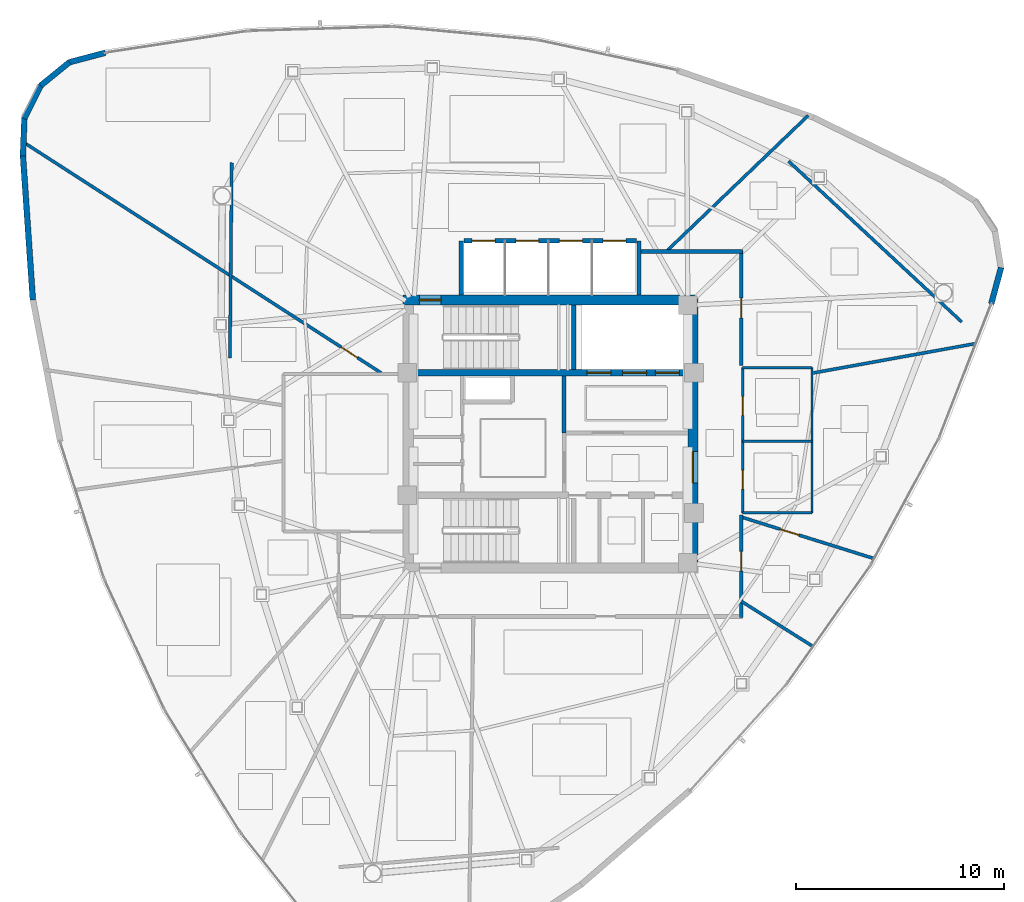
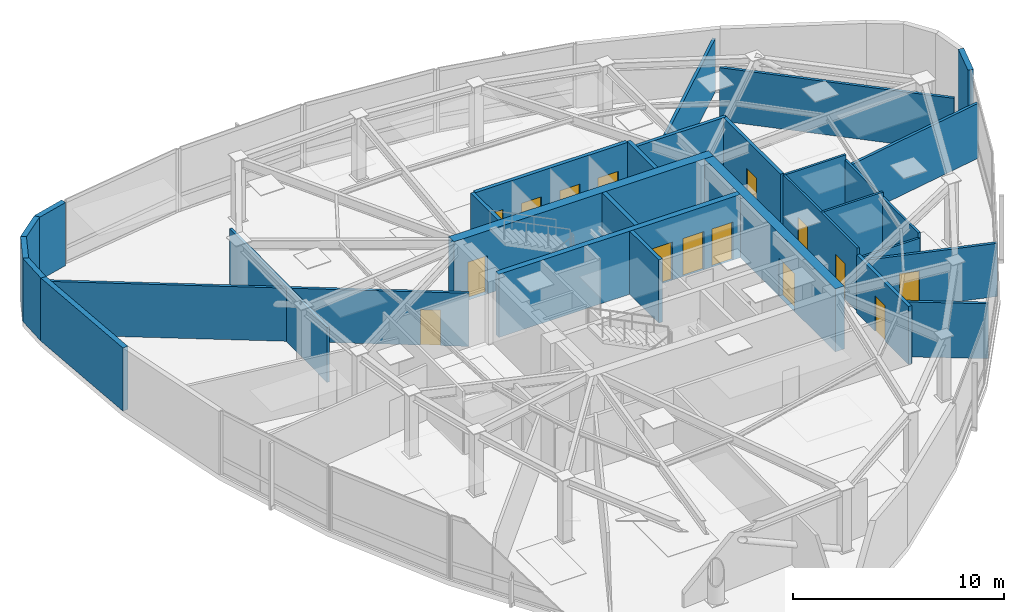
# One storey, part 10 of 14: 29 walls, 15 doors, 15 openings.
"""IFC4 building model written with IfcOpenShell, lengths in metres."""

from ifc_helpers import new_model, si_unit, direction, frame, frame_2d, origin, place, context, subcontext, project, spatial, rectangle, extrude, material, layer, layer_set, type_object, element, fill, save


model = new_model("IFC4")

# Units and contexts
model_context = context("Model", 3, precision=1e-05, world=origin(), true_north=direction((0.0, 1.0)))
body_context = subcontext(model_context, "Body", "Model", "MODEL_VIEW")
ifc_project = project(units=[si_unit("LENGTHUNIT", "METRE"), si_unit("AREAUNIT", "SQUARE_METRE"), si_unit("VOLUMEUNIT", "CUBIC_METRE"), si_unit("PLANEANGLEUNIT", "RADIAN"), si_unit("MASSUNIT", "GRAM", prefix="KILO")], contexts=[model_context])

# Site, building, storey
site_placement = place(None, origin())
site = spatial("IfcSite", under=ifc_project, at=site_placement, CompositionType="ELEMENT")
building_placement = place(site_placement, origin())
building = spatial("IfcBuilding", under=site, at=building_placement, Name="Tavelor Broadcast Tower", CompositionType="ELEMENT")
storey_placement = place(building_placement, frame((0.0, 0.0, 257.699951171875)))
storey = spatial("IfcBuildingStorey", under=building, at=storey_placement, Name="L61", CompositionType="ELEMENT", Elevation=257.699951171875)

# Wall, opening, door
ifc_material_1 = material(Name="Concrete C50/60", Category="concrete")
ifc_layer_1 = layer(ifc_material_1, 0.5)
ifc_layer_set_1 = layer_set([ifc_layer_1], Name="Concrete C50/60")
wall_type_1 = type_object("IfcWallType", Name="Core Shear Wall 500 mm", PredefinedType="SHEAR", material=ifc_layer_set_1)
wall_1_placement = place(storey_placement, frame((42.89990234375, 51.449951171875, 0.0), z_axis=(0.0, 0.0, 1.0), x_axis=(1.0, 0.0, 0.0)))
wall_1 = element("IfcWall", 1, at=wall_1_placement, inside=storey, type_object=wall_type_1, Name="L61 Central Core Shear Wall N", PredefinedType="SHEAR", context=body_context, shape_type="SweptSolid", body=[
    extrude(rectangle(XDim=14.2001953125, YDim=0.5, at=frame_2d((7.10009765625, 0.0))), origin(), (0.0, 0.0, 1.0), 3.650146484375),
])
opening_1_placement = place(wall_1_placement, frame((0.780029296875, 0.0, 0.0)))
opening_1 = element("IfcOpeningElement", 2, at=opening_1_placement, cuts=wall_1, Name="Opening DR11", PredefinedType="OPENING", context=body_context, shape_type="SweptSolid", body=[
    extrude(rectangle(XDim=1.050048828125, YDim=2.199951171875, at=frame_2d((0.52490234375, 1.10009765625))), frame((0.0, 0.260009765625, 0.0), z_axis=(0.0, -1.0, 0.0), x_axis=(1.0, 0.0, 0.0)), (0.0, 0.0, 1.0), 0.52001953125),
])
ifc_material_2 = material(Name="Steel S355", Category="steel")
door_type_1 = type_object("IfcDoorType", Name="Stair Core Fire Escape Door 1050x2200", OperationType="NOTDEFINED", PredefinedType="DOOR", material=ifc_material_2)
door_1_placement = place(opening_1_placement, origin())
door_1 = element("IfcDoor", 3, at=door_1_placement, inside=storey, type_object=door_type_1, Name="L61 Stair ST1 Protected Exit Door", OperationType="SINGLE_SWING_LEFT", OverallHeight=2.199951171875, OverallWidth=1.050048828125, PredefinedType="DOOR", context=body_context, shape_type="SweptSolid", body=[
    extrude(rectangle(XDim=1.050048828125, YDim=2.199951171875, at=frame_2d((0.52490234375, 1.10009765625))), frame((0.0, 0.02490234375, 0.0), z_axis=(0.0, -1.0, 0.0), x_axis=(1.0, 0.0, 0.0)), (0.0, 0.0, 1.0), 0.050048828125),
])
fill(opening_1, door_1)

wall_2_placement = place(storey_placement, frame((56.85009765625, 38.800048828125, 0.0), z_axis=(0.0, 0.0, 1.0), x_axis=(0.0, 1.0, 0.0)))
wall_2 = element("IfcWall", 4, at=wall_2_placement, inside=storey, type_object=wall_type_1, Name="L61 Central Core Shear Wall E", PredefinedType="SHEAR", context=body_context, shape_type="SweptSolid", body=[
    extrude(rectangle(XDim=12.39990234375, YDim=0.5, at=frame_2d((6.199951171875, 0.0))), origin(), (0.0, 0.0, 1.0), 3.650146484375),
])
opening_2_placement = place(wall_2_placement, frame((3.85009765625, 0.0, 0.0)))
opening_2 = element("IfcOpeningElement", 5, at=opening_2_placement, cuts=wall_2, Name="Opening DR14", PredefinedType="OPENING", context=body_context, shape_type="SweptSolid", body=[
    extrude(rectangle(XDim=1.5, YDim=2.199951171875, at=frame_2d((0.75, 1.10009765625))), frame((0.0, 0.260009765625, 0.0), z_axis=(0.0, -1.0, 0.0), x_axis=(1.0, 0.0, 0.0)), (0.0, 0.0, 1.0), 0.52001953125),
])
door_type_2 = type_object("IfcDoorType", Name="Firefighting Lobby Double Fire Door 1500x2200", OperationType="NOTDEFINED", PredefinedType="DOOR", material=ifc_material_2)
door_2_placement = place(opening_2_placement, origin())
door_2 = element("IfcDoor", 6, at=door_2_placement, inside=storey, type_object=door_type_2, Name="L61 Central Core Lobby Fire Door", OperationType="SINGLE_SWING_RIGHT", OverallHeight=2.199951171875, OverallWidth=1.5, PredefinedType="DOOR", context=body_context, shape_type="SweptSolid", body=[
    extrude(rectangle(XDim=1.5, YDim=2.199951171875, at=frame_2d((0.75, 1.10009765625))), frame((0.0, 0.02490234375, 0.0), z_axis=(0.0, -1.0, 0.0), x_axis=(1.0, 0.0, 0.0)), (0.0, 0.0, 1.0), 0.050048828125),
])
fill(opening_2, door_2)

# Wall, openings, doors
ifc_layer_2 = layer(ifc_material_1, 0.300048828125)
ifc_layer_set_2 = layer_set([ifc_layer_2], Name="Concrete C50/60")
wall_type_2 = type_object("IfcWallType", Name="Core Spine Shear Wall 300 mm C50", PredefinedType="SHEAR", material=ifc_layer_set_2)
wall_3_placement = place(storey_placement, frame((43.39990234375, 47.949951171875, 0.0), z_axis=(0.0, 0.0, 1.0), x_axis=(1.0, 0.0, 0.0)))
wall_3 = element("IfcWall", 7, at=wall_3_placement, inside=storey, type_object=wall_type_2, Name="L61 Central Core Shear Wall SP1", PredefinedType="SHEAR", context=body_context, shape_type="SweptSolid", body=[
    extrude(rectangle(XDim=13.2001953125, YDim=0.300048828125, at=frame_2d((6.60009765625, 0.0))), origin(), (0.0, 0.0, 1.0), 3.650146484375),
])
opening_3_placement = place(wall_3_placement, frame((8.344970703125, 0.0, 0.0)))
opening_3 = element("IfcOpeningElement", 8, at=opening_3_placement, cuts=wall_3, Name="Opening LD02", PredefinedType="OPENING", context=body_context, shape_type="SweptSolid", body=[
    extrude(rectangle(XDim=1.14990234375, YDim=2.199951171875, at=frame_2d((0.574951171875, 1.10009765625))), frame((0.0, 0.16015625, 0.0), z_axis=(0.0, -1.0, 0.0), x_axis=(1.0, 0.0, 0.0)), (0.0, 0.0, 1.0), 0.320068359375),
])
opening_4_placement = place(wall_3_placement, frame((10.06494140625, 0.0, 0.0)))
opening_4 = element("IfcOpeningElement", 9, at=opening_4_placement, cuts=wall_3, Name="Opening LD02", PredefinedType="OPENING", context=body_context, shape_type="SweptSolid", body=[
    extrude(rectangle(XDim=1.14990234375, YDim=2.199951171875, at=frame_2d((0.574951171875, 1.10009765625))), frame((0.0, 0.16015625, 0.0), z_axis=(0.0, -1.0, 0.0), x_axis=(1.0, 0.0, 0.0)), (0.0, 0.0, 1.0), 0.320068359375),
])
opening_5_placement = place(wall_3_placement, frame((11.64501953125, 0.0, 0.0)))
opening_5 = element("IfcOpeningElement", 10, at=opening_5_placement, cuts=wall_3, Name="Opening LD03", PredefinedType="OPENING", context=body_context, shape_type="SweptSolid", body=[
    extrude(rectangle(XDim=1.14990234375, YDim=2.199951171875, at=frame_2d((0.574951171875, 1.10009765625))), frame((0.0, 0.16015625, 0.0), z_axis=(0.0, -1.0, 0.0), x_axis=(1.0, 0.0, 0.0)), (0.0, 0.0, 1.0), 0.320068359375),
])
ifc_material_3 = material(Name="Reinforced Brushed Stainless Steel", Category="concrete")
door_type_3 = type_object("IfcDoorType", Name="Broadcast Goods Lift Sliding Landing Door 1250x2200", OperationType="NOTDEFINED", PredefinedType="DOOR", material=ifc_material_3)
door_3_placement = place(opening_5_placement, origin())
door_3 = element("IfcDoor", 11, at=door_3_placement, inside=storey, type_object=door_type_3, Name="L61 Lift SVL1 Sliding Landing Door", OperationType="SLIDING_TO_LEFT", OverallHeight=2.199951171875, OverallWidth=1.14990234375, PredefinedType="DOOR", context=body_context, shape_type="SweptSolid", body=[
    extrude(rectangle(XDim=1.14990234375, YDim=2.199951171875, at=frame_2d((0.574951171875, 1.10009765625))), frame((0.0, 0.02490234375, 0.0), z_axis=(0.0, -1.0, 0.0), x_axis=(1.0, 0.0, 0.0)), (0.0, 0.0, 1.0), 0.050048828125),
])
fill(opening_5, door_3)
ifc_material_4 = material(Name="Fire-Rated Stainless Steel", Category="steel")
door_type_4 = type_object("IfcDoorType", Name="Firefighting Lift Sliding Landing Door 1200x2200", OperationType="NOTDEFINED", PredefinedType="DOOR", material=ifc_material_4)
door_4_placement = place(opening_3_placement, origin())
door_4 = element("IfcDoor", 12, at=door_4_placement, inside=storey, type_object=door_type_4, Name="L61 Lift FFL1 Sliding Landing Door", OperationType="SLIDING_TO_LEFT", OverallHeight=2.199951171875, OverallWidth=1.14990234375, PredefinedType="DOOR", context=body_context, shape_type="SweptSolid", body=[
    extrude(rectangle(XDim=1.14990234375, YDim=2.199951171875, at=frame_2d((0.574951171875, 1.10009765625))), frame((0.0, 0.02490234375, 0.0), z_axis=(0.0, -1.0, 0.0), x_axis=(1.0, 0.0, 0.0)), (0.0, 0.0, 1.0), 0.050048828125),
])
fill(opening_3, door_4)
door_5_placement = place(opening_4_placement, origin())
door_5 = element("IfcDoor", 13, at=door_5_placement, inside=storey, type_object=door_type_4, Name="L61 Lift FFL2 Sliding Landing Door", OperationType="SLIDING_TO_LEFT", OverallHeight=2.199951171875, OverallWidth=1.14990234375, PredefinedType="DOOR", context=body_context, shape_type="SweptSolid", body=[
    extrude(rectangle(XDim=1.14990234375, YDim=2.199951171875, at=frame_2d((0.574951171875, 1.10009765625))), frame((0.0, 0.02490234375, 0.0), z_axis=(0.0, -1.0, 0.0), x_axis=(1.0, 0.0, 0.0)), (0.0, 0.0, 1.0), 0.050048828125),
])
fill(opening_4, door_5)

# Wall
ifc_material_5 = material(Name="Calcium Silicate Fire Board 180 mm", Category="gypsum")
ifc_layer_3 = layer(ifc_material_5, 0.179931640625)
ifc_layer_set_3 = layer_set([ifc_layer_3], Name="Calcium Silicate Fire Board 180 mm")
wall_type_3 = type_object("IfcWallType", Name="Fire-Rated Corridor Partition Wall 180 mm", PredefinedType="PARTITIONING", material=ifc_layer_set_3)
wall_4_placement = place(storey_placement, frame((54.300048828125, 53.780029296875, 0.0), z_axis=(0.0, 0.0, 1.0), x_axis=(1.0, 0.0, 0.0)))
element("IfcWall", 14, at=wall_4_placement, inside=storey, type_object=wall_type_3, Name="L61 Corridor Compartment Wall 01", PredefinedType="PARTITIONING", context=body_context, shape_type="SweptSolid", body=[
    extrude(rectangle(XDim=4.929931640625, YDim=0.179931640625, at=frame_2d((2.46484375, 0.0))), origin(), (0.0, 0.0, 1.0), 3.650146484375),
])

# Wall, opening, door
wall_5_placement = place(storey_placement, frame((59.179931640625, 53.830078125, 0.0), z_axis=(0.0, 0.0, 1.0), x_axis=(0.0, -1.0, 0.0)))
wall_5 = element("IfcWall", 15, at=wall_5_placement, inside=storey, type_object=wall_type_3, Name="L61 Corridor Compartment Wall 02", PredefinedType="PARTITIONING", context=body_context, shape_type="SweptSolid", body=[
    extrude(rectangle(XDim=5.530029296875, YDim=0.179931640625, at=frame_2d((2.76513671875, 0.0))), origin(), (0.0, 0.0, 1.0), 3.650146484375),
])
opening_6_placement = place(wall_5_placement, frame((2.2900390625, 0.0, 0.0)))
opening_6 = element("IfcOpeningElement", 16, at=opening_6_placement, cuts=wall_5, Name="Opening DR18", PredefinedType="OPENING", context=body_context, shape_type="SweptSolid", body=[
    extrude(rectangle(XDim=0.949951171875, YDim=2.050048828125, at=frame_2d((0.47509765625, 1.02490234375))), frame((0.0, 0.10009765625, 0.0), z_axis=(0.0, -1.0, 0.0), x_axis=(1.0, 0.0, 0.0)), (0.0, 0.0, 1.0), 0.199951171875),
])
ifc_material_6 = material(Name="Timber Solid Core Hardwood", Category="wood")
door_type_5 = type_object("IfcDoorType", Name="Corridor Rated Compartment Door 950x2050", OperationType="NOTDEFINED", PredefinedType="DOOR", material=ifc_material_6)
door_6_placement = place(opening_6_placement, origin())
door_6 = element("IfcDoor", 17, at=door_6_placement, inside=storey, type_object=door_type_5, Name="L61 Documentary Research Study Door R7", OperationType="SINGLE_SWING_RIGHT", OverallHeight=2.050048828125, OverallWidth=0.949951171875, PredefinedType="DOOR", context=body_context, shape_type="SweptSolid", body=[
    extrude(rectangle(XDim=0.949951171875, YDim=2.050048828125, at=frame_2d((0.47509765625, 1.02490234375))), frame((0.0, 0.02490234375, 0.0), z_axis=(0.0, -1.0, 0.0), x_axis=(1.0, 0.0, 0.0)), (0.0, 0.0, 1.0), 0.050048828125),
])
fill(opening_6, door_6)

wall_6_placement = place(storey_placement, frame((59.179931640625, 41.10009765625, 0.0), z_axis=(0.0, 0.0, 1.0), x_axis=(0.0, -1.0, 0.0)))
wall_6 = element("IfcWall", 18, at=wall_6_placement, inside=storey, type_object=wall_type_3, Name="L61 Corridor Compartment Wall 03", PredefinedType="PARTITIONING", context=body_context, shape_type="SweptSolid", body=[
    extrude(rectangle(XDim=4.93017578125, YDim=0.179931640625, at=frame_2d((2.465087890625, 0.0))), origin(), (0.0, 0.0, 1.0), 3.35498046875),
])
opening_7_placement = place(wall_6_placement, frame((1.748046875, 0.0, 0.0)))
opening_7 = element("IfcOpeningElement", 19, at=opening_7_placement, cuts=wall_6, Name="Opening DR18", PredefinedType="OPENING", context=body_context, shape_type="SweptSolid", body=[
    extrude(rectangle(XDim=0.949951171875, YDim=2.050048828125, at=frame_2d((0.47509765625, 1.02490234375))), frame((0.0, 0.10009765625, 0.0), z_axis=(0.0, -1.0, 0.0), x_axis=(1.0, 0.0, 0.0)), (0.0, 0.0, 1.0), 0.199951171875),
])
door_7_placement = place(opening_7_placement, origin())
door_7 = element("IfcDoor", 20, at=door_7_placement, inside=storey, type_object=door_type_5, Name="L61 Staff Tea Kitchenette Door R9", OperationType="SINGLE_SWING_LEFT", OverallHeight=2.050048828125, OverallWidth=0.949951171875, PredefinedType="DOOR", context=body_context, shape_type="SweptSolid", body=[
    extrude(rectangle(XDim=0.949951171875, YDim=2.050048828125, at=frame_2d((0.47509765625, 1.02490234375))), frame((0.0, 0.02490234375, 0.0), z_axis=(0.0, -1.0, 0.0), x_axis=(1.0, 0.0, 0.0)), (0.0, 0.0, 1.0), 0.050048828125),
])
fill(opening_7, door_7)

# Walls
ifc_material_7 = material(Name="Precast Concrete C40/50", Category="concrete")
ifc_layer_4 = layer(ifc_material_7, 0.280029296875)
ifc_layer_set_4 = layer_set([ifc_layer_4], Name="Precast Concrete C40/50")
wall_type_4 = type_object("IfcWallType", Name="Insulated Precast Terracotta Facade Wall 280 mm", PredefinedType="STANDARD", material=ifc_layer_set_4)
wall_7_placement = place(storey_placement, frame((28.5703125, 63.35302734375, 0.0), z_axis=(0.0, 0.0, 1.0), x_axis=(-0.966620844388, -0.256211130115, 0.0)))
element("IfcWall", 21, at=wall_7_placement, inside=storey, type_object=wall_type_4, Name="L61 Rounded Corner Structural Cladding Pier 01", PredefinedType="STANDARD", context=body_context, shape_type="SweptSolid", body=[
    extrude(rectangle(XDim=1.8115234375, YDim=0.280029296875, at=frame_2d((0.90576171875, 0.0))), origin(), (0.0, 0.0, 1.0), 3.650146484375),
])
wall_8_placement = place(storey_placement, frame((26.845458984375, 62.902099609375, 0.0), z_axis=(0.0, 0.0, 1.0), x_axis=(-0.775453886287, -0.631404205119, 0.0)))
element("IfcWall", 22, at=wall_8_placement, inside=storey, type_object=wall_type_4, Name="L61 Rounded Corner Structural Cladding Pier 02", PredefinedType="STANDARD", context=body_context, shape_type="SweptSolid", body=[
    extrude(rectangle(XDim=1.7998046875, YDim=0.280029296875, at=frame_2d((0.89990234375, 0.0))), origin(), (0.0, 0.0, 1.0), 3.650146484375),
])
wall_9_placement = place(storey_placement, frame((25.468017578125, 61.78857421875, 0.0), z_axis=(0.0, 0.0, 1.0), x_axis=(-0.447050826872, -0.894508556803, 0.0)))
element("IfcWall", 23, at=wall_9_placement, inside=storey, type_object=wall_type_4, Name="L61 Rounded Corner Structural Cladding Pier 03", PredefinedType="STANDARD", context=body_context, shape_type="SweptSolid", body=[
    extrude(rectangle(XDim=1.800048828125, YDim=0.280029296875, at=frame_2d((0.89990234375, 0.0))), origin(), (0.0, 0.0, 1.0), 3.650146484375),
])
wall_10_placement = place(storey_placement, frame((24.670654296875, 60.206787109375, 0.0), z_axis=(0.0, 0.0, 1.0), x_axis=(-0.039251133872, -0.999229377315, 0.0)))
element("IfcWall", 24, at=wall_10_placement, inside=storey, type_object=wall_type_4, Name="L61 Rounded Corner Structural Cladding Pier 04", PredefinedType="STANDARD", context=body_context, shape_type="SweptSolid", body=[
    extrude(rectangle(XDim=1.822509765625, YDim=0.280029296875, at=frame_2d((0.9111328125, 0.0))), origin(), (0.0, 0.0, 1.0), 3.650146484375),
])
wall_11_placement = place(storey_placement, frame((24.5986328125, 58.41552734375, 0.0), z_axis=(0.0, 0.0, 1.0), x_axis=(0.068447981413, -0.997654686673, 0.0)))
element("IfcWall", 25, at=wall_11_placement, inside=storey, type_object=wall_type_4, Name="L61 Rounded Corner Structural Cladding Pier 05", PredefinedType="STANDARD", context=body_context, shape_type="SweptSolid", body=[
    extrude(rectangle(XDim=6.980224609375, YDim=0.280029296875, at=frame_2d((3.490234375, 0.0))), origin(), (0.0, 0.0, 1.0), 3.650146484375),
])
wall_12_placement = place(storey_placement, frame((71.208984375, 51.264404296875, 0.0), z_axis=(0.0, 0.0, 1.0), x_axis=(0.261326533674, 0.965250455995, 0.0)))
element("IfcWall", 26, at=wall_12_placement, inside=storey, type_object=wall_type_4, Name="L61 Rounded Corner Structural Cladding Pier 21", PredefinedType="STANDARD", context=body_context, shape_type="SweptSolid", body=[
    extrude(rectangle(XDim=1.8115234375, YDim=0.280029296875, at=frame_2d((0.90576171875, 0.0))), origin(), (0.0, 0.0, 1.0), 3.650146484375),
])
ifc_material_8 = material(Name="Gypsum Acoustic Plasterboard 150 mm", Category="gypsum")
ifc_layer_5 = layer(ifc_material_8, 0.14990234375)
ifc_layer_set_5 = layer_set([ifc_layer_5], Name="Gypsum Acoustic Plasterboard 150 mm")
wall_type_5 = type_object("IfcWallType", Name="Interior Acoustic Partition Wall 150 mm", PredefinedType="PARTITIONING", material=ifc_layer_set_5)
wall_13_placement = place(storey_placement, frame((34.651611328125, 58.0556640625, 0.0), z_axis=(0.0, 0.0, 1.0), x_axis=(-0.009553538759, -0.999954363907, 0.0)))
element("IfcWall", 27, at=wall_13_placement, inside=storey, type_object=wall_type_5, Name="L61 Corner Tube Brace Furring Wall 1", PredefinedType="PARTITIONING", context=body_context, shape_type="SweptSolid", body=[
    extrude(rectangle(XDim=9.404296875, YDim=0.14990234375, at=frame_2d((4.7021484375, 0.0))), origin(), (0.0, 0.0, 1.0), 3.175048828125),
])
wall_14_placement = place(storey_placement, frame((69.79248046875, 50.387939453125, 0.0), z_axis=(0.0, 0.0, 1.0), x_axis=(-0.732769799181, 0.680476613418, 0.0)))
element("IfcWall", 28, at=wall_14_placement, inside=storey, type_object=wall_type_5, Name="L61 Corner Tube Brace Furring Wall 3", PredefinedType="PARTITIONING", context=body_context, shape_type="SweptSolid", body=[
    extrude(rectangle(XDim=11.377685546875, YDim=0.14990234375, at=frame_2d((5.68896484375, 0.0))), origin(), (0.0, 0.0, 1.0), 3.074951171875),
])

# Wall, opening, door
wall_15_placement = place(storey_placement, frame((41.841796875, 47.93994140625, 0.0), z_axis=(0.0, 0.0, 1.0), x_axis=(-0.840364898346, 0.542021067513, 0.0)))
wall_15 = element("IfcWall", 29, at=wall_15_placement, inside=storey, type_object=wall_type_5, Name="L61 Radial Compartment Wall 01", PredefinedType="PARTITIONING", context=body_context, shape_type="SweptSolid", body=[
    extrude(rectangle(XDim=20.4990234375, YDim=0.14990234375, at=frame_2d((10.24951171875, 0.0))), origin(), (0.0, 0.0, 1.0), 3.074951171875),
])
opening_8_placement = place(wall_15_placement, frame((1.35009765625, 0.0, 0.0)))
opening_8 = element("IfcOpeningElement", 30, at=opening_8_placement, cuts=wall_15, Name="Opening DR18", PredefinedType="OPENING", context=body_context, shape_type="SweptSolid", body=[
    extrude(rectangle(XDim=0.949951171875, YDim=2.050048828125, at=frame_2d((0.47509765625, 1.02490234375))), frame((0.0, 0.0849609375, 0.0), z_axis=(0.0, -1.0, 0.0), x_axis=(1.0, 0.0, 0.0)), (0.0, 0.0, 1.0), 0.169921875),
])
door_8_placement = place(opening_8_placement, origin())
door_8 = element("IfcDoor", 31, at=door_8_placement, inside=storey, type_object=door_type_5, Name="L61 Suite Connecting Door 6", OperationType="SINGLE_SWING_RIGHT", OverallHeight=2.050048828125, OverallWidth=0.949951171875, PredefinedType="DOOR", context=body_context, shape_type="SweptSolid", body=[
    extrude(rectangle(XDim=0.949951171875, YDim=2.050048828125, at=frame_2d((0.47509765625, 1.02490234375))), frame((0.0, 0.02490234375, 0.0), z_axis=(0.0, -1.0, 0.0), x_axis=(1.0, 0.0, 0.0)), (0.0, 0.0, 1.0), 0.050048828125),
])
fill(opening_8, door_8)

# Wall
wall_16_placement = place(storey_placement, frame((59.179931640625, 36.946044921875, 0.0), z_axis=(0.0, 0.0, 1.0), x_axis=(0.84601860529, -0.53315337334, 0.0)))
element("IfcWall", 32, at=wall_16_placement, inside=storey, type_object=wall_type_5, Name="L61 Radial Compartment Wall 07", PredefinedType="PARTITIONING", context=body_context, shape_type="SweptSolid", body=[
    extrude(rectangle(XDim=4.0927734375, YDim=0.14990234375, at=frame_2d((2.04638671875, 0.0))), origin(), (0.0, 0.0, 1.0), 3.175048828125),
])

# Wall, opening, door
wall_17_placement = place(storey_placement, frame((59.179931640625, 41.002197265625, 0.0), z_axis=(0.0, 0.0, 1.0), x_axis=(0.954383377311, -0.298583939809, 0.0)))
wall_17 = element("IfcWall", 33, at=wall_17_placement, inside=storey, type_object=wall_type_5, Name="L61 Radial Compartment Wall 08", PredefinedType="PARTITIONING", context=body_context, shape_type="SweptSolid", body=[
    extrude(rectangle(XDim=6.7041015625, YDim=0.14990234375, at=frame_2d((3.35205078125, 0.0))), origin(), (0.0, 0.0, 1.0), 3.074951171875),
])
opening_9_placement = place(wall_17_placement, frame((1.949951171875, 0.0, 0.0)))
opening_9 = element("IfcOpeningElement", 34, at=opening_9_placement, cuts=wall_17, Name="Opening DR18", PredefinedType="OPENING", context=body_context, shape_type="SweptSolid", body=[
    extrude(rectangle(XDim=0.949951171875, YDim=2.050048828125, at=frame_2d((0.47509765625, 1.02490234375))), frame((0.0, 0.0849609375, 0.0), z_axis=(0.0, -1.0, 0.0), x_axis=(1.0, 0.0, 0.0)), (0.0, 0.0, 1.0), 0.169921875),
])
door_9_placement = place(opening_9_placement, origin())
door_9 = element("IfcDoor", 35, at=door_9_placement, inside=storey, type_object=door_type_5, Name="L61 Suite Connecting Door 8", OperationType="SINGLE_SWING_LEFT", OverallHeight=2.050048828125, OverallWidth=0.949951171875, PredefinedType="DOOR", context=body_context, shape_type="SweptSolid", body=[
    extrude(rectangle(XDim=0.949951171875, YDim=2.050048828125, at=frame_2d((0.47509765625, 1.02490234375))), frame((0.0, 0.02490234375, 0.0), z_axis=(0.0, -1.0, 0.0), x_axis=(1.0, 0.0, 0.0)), (0.0, 0.0, 1.0), 0.050048828125),
])
fill(opening_9, door_9)

# Walls
wall_18_placement = place(storey_placement, frame((62.64990234375, 47.93994140625, 0.0), z_axis=(0.0, 0.0, 1.0), x_axis=(0.984025760657, 0.178026128317, 0.0)))
element("IfcWall", 36, at=wall_18_placement, inside=storey, type_object=wall_type_5, Name="L61 Radial Compartment Wall 09", PredefinedType="PARTITIONING", context=body_context, shape_type="SweptSolid", body=[
    extrude(rectangle(XDim=7.951171875, YDim=0.14990234375, at=frame_2d((3.9755859375, 0.0))), origin(), (0.0, 0.0, 1.0), 3.175048828125),
])
wall_19_placement = place(storey_placement, frame((55.563232421875, 53.780029296875, 0.0), z_axis=(0.0, 0.0, 1.0), x_axis=(0.722046130264, 0.691844914537, 0.0)))
element("IfcWall", 37, at=wall_19_placement, inside=storey, type_object=wall_type_5, Name="L61 Radial Compartment Wall 10", PredefinedType="PARTITIONING", context=body_context, shape_type="SweptSolid", body=[
    extrude(rectangle(XDim=9.47412109375, YDim=0.14990234375, at=frame_2d((4.737060546875, 0.0))), origin(), (0.0, 0.0, 1.0), 3.074951171875),
])

# Wall, openings, doors
ifc_material_9 = material(Name="Concrete Blockwork 200 mm", Category="masonry")
ifc_layer_6 = layer(ifc_material_9, 0.199951171875)
ifc_layer_set_6 = layer_set([ifc_layer_6], Name="Concrete Blockwork 200 mm")
wall_type_6 = type_object("IfcWallType", Name="Lift Hoistway Rated Front Wall 200 mm", PredefinedType="PARTITIONING", material=ifc_layer_set_6)
wall_20_placement = place(storey_placement, frame((45.820068359375, 54.300048828125, 0.0), z_axis=(0.0, 0.0, 1.0), x_axis=(1.0, 0.0, 0.0)))
wall_20 = element("IfcWall", 38, at=wall_20_placement, inside=storey, type_object=wall_type_6, Name="L61 High-Rise Lift Hoistway Front Wall", PredefinedType="PARTITIONING", context=body_context, shape_type="SweptSolid", body=[
    extrude(rectangle(XDim=8.309814453125, YDim=0.199951171875, at=frame_2d((4.15478515625, 0.0))), origin(), (0.0, 0.0, 1.0), 3.650146484375),
])
opening_10_placement = place(wall_20_placement, frame((0.405029296875, 0.0, 0.0)))
opening_10 = element("IfcOpeningElement", 39, at=opening_10_placement, cuts=wall_20, Name="Opening LD01", PredefinedType="OPENING", context=body_context, shape_type="SweptSolid", body=[
    extrude(rectangle(XDim=1.10009765625, YDim=2.14990234375, at=frame_2d((0.550048828125, 1.074951171875))), frame((0.0, 0.10986328125, 0.0), z_axis=(0.0, -1.0, 0.0), x_axis=(1.0, 0.0, 0.0)), (0.0, 0.0, 1.0), 0.219970703125),
])
opening_11_placement = place(wall_20_placement, frame((2.5048828125, 0.0, 0.0)))
opening_11 = element("IfcOpeningElement", 40, at=opening_11_placement, cuts=wall_20, Name="Opening LD01", PredefinedType="OPENING", context=body_context, shape_type="SweptSolid", body=[
    extrude(rectangle(XDim=1.10009765625, YDim=2.14990234375, at=frame_2d((0.550048828125, 1.074951171875))), frame((0.0, 0.10986328125, 0.0), z_axis=(0.0, -1.0, 0.0), x_axis=(1.0, 0.0, 0.0)), (0.0, 0.0, 1.0), 0.219970703125),
])
opening_12_placement = place(wall_20_placement, frame((4.60498046875, 0.0, 0.0)))
opening_12 = element("IfcOpeningElement", 41, at=opening_12_placement, cuts=wall_20, Name="Opening LD01", PredefinedType="OPENING", context=body_context, shape_type="SweptSolid", body=[
    extrude(rectangle(XDim=1.10009765625, YDim=2.14990234375, at=frame_2d((0.550048828125, 1.074951171875))), frame((0.0, 0.10986328125, 0.0), z_axis=(0.0, -1.0, 0.0), x_axis=(1.0, 0.0, 0.0)), (0.0, 0.0, 1.0), 0.219970703125),
])
opening_13_placement = place(wall_20_placement, frame((6.705078125, 0.0, 0.0)))
opening_13 = element("IfcOpeningElement", 42, at=opening_13_placement, cuts=wall_20, Name="Opening LD01", PredefinedType="OPENING", context=body_context, shape_type="SweptSolid", body=[
    extrude(rectangle(XDim=1.10009765625, YDim=2.14990234375, at=frame_2d((0.550048828125, 1.074951171875))), frame((0.0, 0.10986328125, 0.0), z_axis=(0.0, -1.0, 0.0), x_axis=(1.0, 0.0, 0.0)), (0.0, 0.0, 1.0), 0.219970703125),
])
ifc_material_10 = material(Name="Brushed Stainless Steel", Category="steel")
door_type_6 = type_object("IfcDoorType", Name="Passenger Lift Sliding Landing Door 1100x2150", OperationType="NOTDEFINED", PredefinedType="DOOR", material=ifc_material_10)
door_10_placement = place(opening_10_placement, origin())
door_10 = element("IfcDoor", 43, at=door_10_placement, inside=storey, type_object=door_type_6, Name="L61 Lift PLH1 Sliding Landing Door", OperationType="SLIDING_TO_LEFT", OverallHeight=2.14990234375, OverallWidth=1.10009765625, PredefinedType="DOOR", context=body_context, shape_type="SweptSolid", body=[
    extrude(rectangle(XDim=1.10009765625, YDim=2.14990234375, at=frame_2d((0.550048828125, 1.074951171875))), frame((0.0, 0.02490234375, 0.0), z_axis=(0.0, -1.0, 0.0), x_axis=(1.0, 0.0, 0.0)), (0.0, 0.0, 1.0), 0.050048828125),
])
fill(opening_10, door_10)
door_11_placement = place(opening_11_placement, origin())
door_11 = element("IfcDoor", 44, at=door_11_placement, inside=storey, type_object=door_type_6, Name="L61 Lift PLH2 Sliding Landing Door", OperationType="SLIDING_TO_RIGHT", OverallHeight=2.14990234375, OverallWidth=1.10009765625, PredefinedType="DOOR", context=body_context, shape_type="SweptSolid", body=[
    extrude(rectangle(XDim=1.10009765625, YDim=2.14990234375, at=frame_2d((0.550048828125, 1.074951171875))), frame((0.0, 0.02490234375, 0.0), z_axis=(0.0, -1.0, 0.0), x_axis=(1.0, 0.0, 0.0)), (0.0, 0.0, 1.0), 0.050048828125),
])
fill(opening_11, door_11)
door_12_placement = place(opening_12_placement, origin())
door_12 = element("IfcDoor", 45, at=door_12_placement, inside=storey, type_object=door_type_6, Name="L61 Lift PLH3 Sliding Landing Door", OperationType="SLIDING_TO_LEFT", OverallHeight=2.14990234375, OverallWidth=1.10009765625, PredefinedType="DOOR", context=body_context, shape_type="SweptSolid", body=[
    extrude(rectangle(XDim=1.10009765625, YDim=2.14990234375, at=frame_2d((0.550048828125, 1.074951171875))), frame((0.0, 0.02490234375, 0.0), z_axis=(0.0, -1.0, 0.0), x_axis=(1.0, 0.0, 0.0)), (0.0, 0.0, 1.0), 0.050048828125),
])
fill(opening_12, door_12)
door_13_placement = place(opening_13_placement, origin())
door_13 = element("IfcDoor", 46, at=door_13_placement, inside=storey, type_object=door_type_6, Name="L61 Lift PLH4 Sliding Landing Door", OperationType="SLIDING_TO_RIGHT", OverallHeight=2.14990234375, OverallWidth=1.10009765625, PredefinedType="DOOR", context=body_context, shape_type="SweptSolid", body=[
    extrude(rectangle(XDim=1.10009765625, YDim=2.14990234375, at=frame_2d((0.550048828125, 1.074951171875))), frame((0.0, 0.02490234375, 0.0), z_axis=(0.0, -1.0, 0.0), x_axis=(1.0, 0.0, 0.0)), (0.0, 0.0, 1.0), 0.050048828125),
])
fill(opening_13, door_13)

# Walls
ifc_layer_7 = layer(ifc_material_9, 0.199951171875)
ifc_layer_set_7 = layer_set([ifc_layer_7], Name="Concrete Blockwork 200 mm")
wall_type_7 = type_object("IfcWallType", Name="Lift and Riser Shaft Enclosure Wall 200 mm", PredefinedType="PARTITIONING", material=ifc_layer_set_7)
for number, where, z_axis, x_axis, name in (
    (47, (45.699951171875, 51.699951171875, 0.0), (0.0, 0.0, 1.0), (0.0, 1.0, 0.0), "L61 High-Rise Lift Shaft West Wall"),
    (48, (54.25, 51.699951171875, 0.0), (0.0, 0.0, 1.0), (0.0, 1.0, 0.0), "L61 High-Rise Lift Shaft East Wall"),
):
    element("IfcWall", number, at=place(storey_placement, frame(where, z_axis=z_axis, x_axis=x_axis)), inside=storey, type_object=wall_type_7, Name=name, PredefinedType="PARTITIONING", context=body_context, shape_type="SweptSolid", body=[
        extrude(rectangle(XDim=2.60009765625, YDim=0.199951171875, at=frame_2d((1.300048828125, 0.0))), origin(), (0.0, 0.0, 1.0), 3.650146484375),
    ])
wall_21_placement = place(storey_placement, frame((50.64990234375, 45.050048828125, 0.0), z_axis=(0.0, 0.0, 1.0), x_axis=(0.0, 1.0, 0.0)))
element("IfcWall", 49, at=wall_21_placement, inside=storey, type_object=wall_type_7, Name="L61 Firefighting Lobby West Wall", PredefinedType="PARTITIONING", context=body_context, shape_type="SweptSolid", body=[
    extrude(rectangle(XDim=2.75, YDim=0.199951171875, at=frame_2d((1.375, 0.0))), origin(), (0.0, 0.0, 1.0), 3.650146484375),
])

# Wall, openings, doors
ifc_material_11 = material(Name="Moisture-Resistant Plasterboard 120 mm", Category="gypsum")
ifc_layer_8 = layer(ifc_material_11, 0.1201171875)
ifc_layer_set_8 = layer_set([ifc_layer_8], Name="Moisture-Resistant Plasterboard 120 mm")
wall_type_8 = type_object("IfcWallType", Name="Moisture-Resistant Wet-Room Partition 120 mm", PredefinedType="PARTITIONING", material=ifc_layer_set_8)
wall_22_placement = place(storey_placement, frame((59.239990234375, 41.199951171875, 0.0), z_axis=(0.0, 0.0, 1.0), x_axis=(0.0, 1.0, 0.0)))
wall_22 = element("IfcWall", 50, at=wall_22_placement, inside=storey, type_object=wall_type_8, Name="L61 Floor Washrooms West Wall", PredefinedType="PARTITIONING", context=body_context, shape_type="SweptSolid", body=[
    extrude(rectangle(XDim=7.0, YDim=0.1201171875, at=frame_2d((3.5, 0.0))), origin(), (0.0, 0.0, 1.0), 3.650146484375),
])
opening_14_placement = place(wall_22_placement, frame((1.14990234375, 0.0, 0.0)))
opening_14 = element("IfcOpeningElement", 51, at=opening_14_placement, cuts=wall_22, Name="Opening DR32", PredefinedType="OPENING", context=body_context, shape_type="SweptSolid", body=[
    extrude(rectangle(XDim=0.89990234375, YDim=2.050048828125, at=frame_2d((0.449951171875, 1.02490234375))), frame((0.0, 0.070068359375, 0.0), z_axis=(0.0, -1.0, 0.0), x_axis=(1.0, 0.0, 0.0)), (0.0, 0.0, 1.0), 0.14013671875),
])
opening_15_placement = place(wall_22_placement, frame((4.699951171875, 0.0, 0.0)))
opening_15 = element("IfcOpeningElement", 52, at=opening_15_placement, cuts=wall_22, Name="Opening DR32", PredefinedType="OPENING", context=body_context, shape_type="SweptSolid", body=[
    extrude(rectangle(XDim=0.89990234375, YDim=2.050048828125, at=frame_2d((0.449951171875, 1.02490234375))), frame((0.0, 0.070068359375, 0.0), z_axis=(0.0, -1.0, 0.0), x_axis=(1.0, 0.0, 0.0)), (0.0, 0.0, 1.0), 0.14013671875),
])
door_type_7 = type_object("IfcDoorType", Name="Accessible Washroom Door 900x2050", OperationType="NOTDEFINED", PredefinedType="DOOR", material=ifc_material_6)
door_14_placement = place(opening_14_placement, origin())
door_14 = element("IfcDoor", 53, at=door_14_placement, inside=storey, type_object=door_type_7, Name="L61 Accessible WC Door", OperationType="SINGLE_SWING_LEFT", OverallHeight=2.050048828125, OverallWidth=0.89990234375, PredefinedType="DOOR", context=body_context, shape_type="SweptSolid", body=[
    extrude(rectangle(XDim=0.89990234375, YDim=2.050048828125, at=frame_2d((0.449951171875, 1.02490234375))), frame((0.0, 0.02490234375, 0.0), z_axis=(0.0, -1.0, 0.0), x_axis=(1.0, 0.0, 0.0)), (0.0, 0.0, 1.0), 0.050048828125),
])
fill(opening_14, door_14)
door_15_placement = place(opening_15_placement, origin())
door_15 = element("IfcDoor", 54, at=door_15_placement, inside=storey, type_object=door_type_7, Name="L61 Staff Washroom WC Door", OperationType="SINGLE_SWING_RIGHT", OverallHeight=2.050048828125, OverallWidth=0.89990234375, PredefinedType="DOOR", context=body_context, shape_type="SweptSolid", body=[
    extrude(rectangle(XDim=0.89990234375, YDim=2.050048828125, at=frame_2d((0.449951171875, 1.02490234375))), frame((0.0, 0.02490234375, 0.0), z_axis=(0.0, -1.0, 0.0), x_axis=(1.0, 0.0, 0.0)), (0.0, 0.0, 1.0), 0.050048828125),
])
fill(opening_15, door_15)

# Walls
wall_23_placement = place(storey_placement, frame((59.239990234375, 41.199951171875, 0.0), z_axis=(0.0, 0.0, 1.0), x_axis=(1.0, 0.0, 0.0)))
element("IfcWall", 55, at=wall_23_placement, inside=storey, type_object=wall_type_8, Name="L61 Floor Washrooms South Wall", PredefinedType="PARTITIONING", context=body_context, shape_type="SweptSolid", body=[
    extrude(rectangle(XDim=3.340087890625, YDim=0.1201171875, at=frame_2d((1.669921875, 0.0))), origin(), (0.0, 0.0, 1.0), 3.074951171875),
])
for number, where, z_axis, x_axis, name in (
    (56, (59.239990234375, 44.64990234375, 0.0), (0.0, 0.0, 1.0), (1.0, 0.0, 0.0), "L61 Floor Washrooms Divider Wall"),
    (57, (59.239990234375, 48.199951171875, 0.0), (0.0, 0.0, 1.0), (1.0, 0.0, 0.0), "L61 Floor Washrooms North Wall"),
):
    element("IfcWall", number, at=place(storey_placement, frame(where, z_axis=z_axis, x_axis=x_axis)), inside=storey, type_object=wall_type_8, Name=name, PredefinedType="PARTITIONING", context=body_context, shape_type="SweptSolid", body=[
        extrude(rectangle(XDim=3.340087890625, YDim=0.1201171875, at=frame_2d((1.669921875, 0.0))), origin(), (0.0, 0.0, 1.0), 3.650146484375),
    ])
wall_24_placement = place(storey_placement, frame((62.580078125, 41.199951171875, 0.0), z_axis=(0.0, 0.0, 1.0), x_axis=(0.0, 1.0, 0.0)))
element("IfcWall", 58, at=wall_24_placement, inside=storey, type_object=wall_type_8, Name="L61 Floor Washrooms East Wall", PredefinedType="PARTITIONING", context=body_context, shape_type="SweptSolid", body=[
    extrude(rectangle(XDim=7.0, YDim=0.1201171875, at=frame_2d((3.5, 0.0))), origin(), (0.0, 0.0, 1.0), 3.35498046875),
])
ifc_material_12 = material(Name="Concrete C40/50", Category="concrete")
ifc_layer_9 = layer(ifc_material_12, 0.219970703125)
ifc_layer_set_9 = layer_set([ifc_layer_9], Name="Concrete C40/50")
wall_type_9 = type_object("IfcWallType", Name="Structural Stairwell Shear Wall 220 mm", PredefinedType="SHEAR", material=ifc_layer_set_9)
wall_25_placement = place(storey_placement, frame((51.110107421875, 48.10009765625, 0.0), z_axis=(0.0, 0.0, 1.0), x_axis=(0.0, 1.0, 0.0)))
element("IfcWall", 59, at=wall_25_placement, inside=storey, type_object=wall_type_9, Name="L61 Stair ST1 Structural Shaft Wall", PredefinedType="SHEAR", context=body_context, shape_type="SweptSolid", body=[
    extrude(rectangle(XDim=3.099853515625, YDim=0.219970703125, at=frame_2d((1.5498046875, 0.0))), origin(), (0.0, 0.0, 1.0), 3.650146484375),
])

save(model, "model.ifc")
